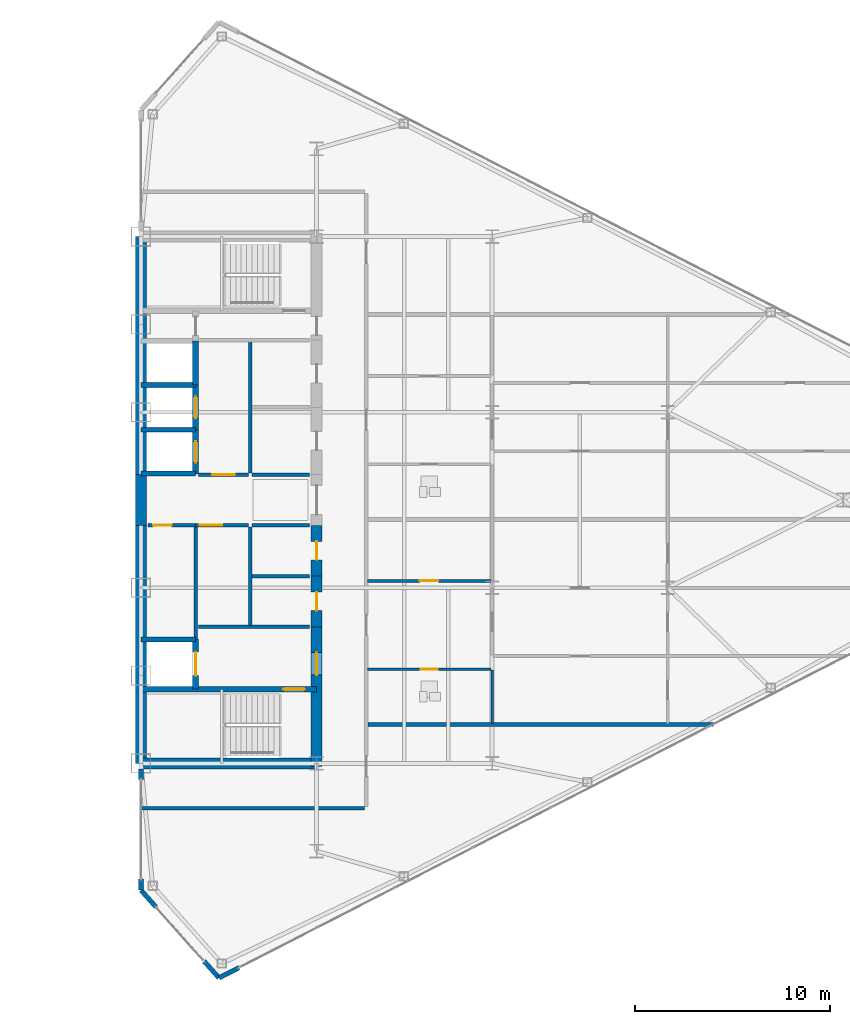
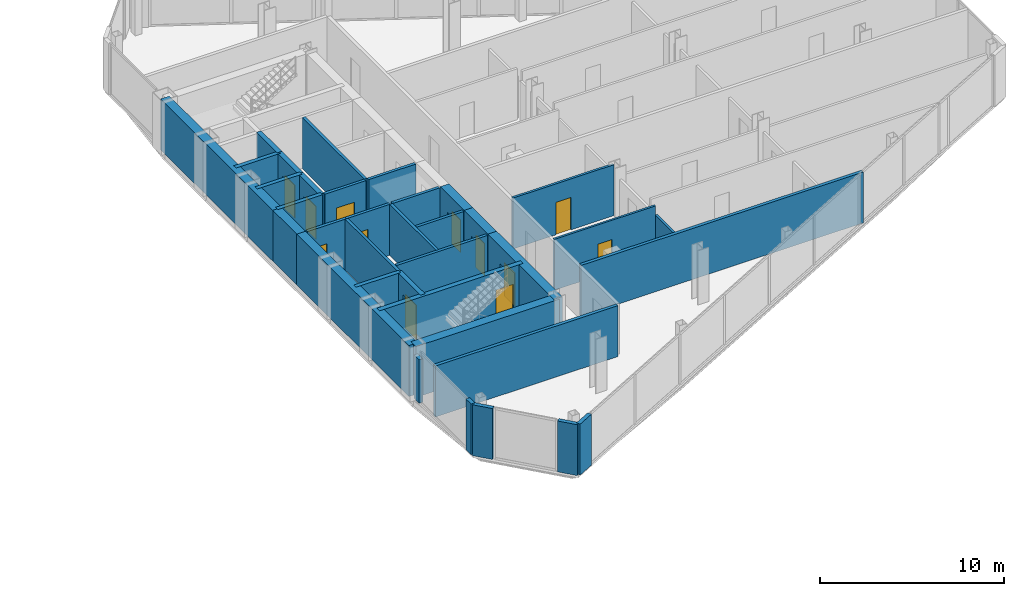
# One storey, part 18 of 23: 36 walls, 12 doors, 12 openings.
"""IFC4 building model written with IfcOpenShell, lengths in metres."""

from ifc_helpers import new_model, si_unit, direction, frame, frame_2d, origin, place, context, subcontext, project, spatial, rectangle, extrude, source, transform, mapped, material, layer, layer_set, type_object, type_shapes, element, fill, save


model = new_model("IFC4")

# Units and contexts
model_context = context("Model", 3, precision=1e-05, world=origin(), true_north=direction((0.0, 1.0)))
body_context = subcontext(model_context, "Body", "Model", "MODEL_VIEW")
ifc_project = project(units=[si_unit("LENGTHUNIT", "METRE"), si_unit("AREAUNIT", "SQUARE_METRE"), si_unit("VOLUMEUNIT", "CUBIC_METRE"), si_unit("PLANEANGLEUNIT", "RADIAN"), si_unit("MASSUNIT", "GRAM", prefix="KILO")], contexts=[model_context])

# Site, building, storey
site_placement = place(None, origin())
site = spatial("IfcSite", under=ifc_project, at=site_placement, CompositionType="ELEMENT")
building_placement = place(site_placement, origin())
building = spatial("IfcBuilding", under=site, at=building_placement, Name="Seokmaru Belvedere", CompositionType="ELEMENT")
storey_placement = place(building_placement, frame((0.0, 0.0, 147.60009765625)))
storey = spatial("IfcBuildingStorey", under=building, at=storey_placement, Name="L39", CompositionType="ELEMENT", Elevation=147.60009765625)

# Wall, opening, door
ifc_material_1 = material(Name="Fire-Rated Gypsum Shaftwall")
ifc_layer_1 = layer(ifc_material_1, 0.14990234375)
ifc_layer_set_1 = layer_set([ifc_layer_1], Name="Fire-Rated Gypsum Shaftwall")
wall_type_1 = type_object("IfcWallType", Name="Apartment Fire-Acoustic Room Partition 150", PredefinedType="PARTITIONING", material=ifc_layer_set_1)
wall_1_placement = place(storey_placement, frame((39.10009765625, -4.14990234375, 0.0), z_axis=(0.0, 0.0, 1.0), x_axis=(1.0, 0.0, 0.0)))
wall_1 = element("IfcWall", 1, at=wall_1_placement, inside=storey, type_object=wall_type_1, Name="L39 Interior Partition 014", PredefinedType="PARTITIONING", context=body_context, shape_type="SweptSolid", body=[
    extrude(rectangle(XDim=6.349853515625, YDim=0.14990234375, at=frame_2d((3.1748046875, 0.0))), origin(), (0.0, 0.0, 1.0), 3.3798828125),
])
opening_1_placement = place(wall_1_placement, frame((2.699951171875, 0.0, 0.0)))
opening_1 = element("IfcOpeningElement", 2, at=opening_1_placement, cuts=wall_1, Name="Opening D05", PredefinedType="OPENING", context=body_context, shape_type="SweptSolid", body=[
    extrude(rectangle(XDim=0.949951171875, YDim=2.14990234375, at=frame_2d((0.47509765625, 1.074951171875))), frame((0.0, 0.0849609375, 0.0), z_axis=(0.0, -1.0, 0.0), x_axis=(1.0, 0.0, 0.0)), (0.0, 0.0, 1.0), 0.169921875),
])
ifc_material_2 = material(Name="Engineered White Oak Timber", Category="wood")
door_type_1 = type_object("IfcDoorType", Name="Apartment Interior Fire-Rated Oak Door 950x2150", OperationType="NOTDEFINED", PredefinedType="DOOR", material=ifc_material_2)
shared_shape_1 = source(origin(), body_context, "Body", "SweptSolid", [
    extrude(rectangle(XDim=0.949951171875, YDim=2.14990234375, at=frame_2d((0.47509765625, 1.074951171875))), frame((0.0, 0.02490234375, 0.0), z_axis=(0.0, -1.0, 0.0), x_axis=(1.0, 0.0, 0.0)), (0.0, 0.0, 1.0), 0.050048828125),
])
type_shapes(door_type_1, [shared_shape_1])
door_1_placement = place(opening_1_placement, origin())
door_1 = element("IfcDoor", 3, at=door_1_placement, inside=storey, type_object=door_type_1, Name="L39 Interior Door 039", OperationType="SINGLE_SWING_RIGHT", OverallHeight=2.14990234375, OverallWidth=0.949951171875, PredefinedType="DOOR", context=body_context, shape_type="MappedRepresentation", body=[
    mapped(shared_shape_1, transform((0.0, 0.0, 0.0), scale=1.0)),
])
fill(opening_1, door_1)

# Walls
ifc_layer_2 = layer(ifc_material_1, 0.179931640625)
ifc_layer_set_2 = layer_set([ifc_layer_2], Name="Fire-Rated Gypsum Shaftwall")
wall_type_2 = type_object("IfcWallType", Name="Core Service Fire Partition 180", PredefinedType="PARTITIONING", material=ifc_layer_set_2)
wall_2_placement = place(storey_placement, frame((30.449951171875, -6.5, 0.0), z_axis=(0.0, 0.0, 1.0), x_axis=(1.0, 0.0, 0.0)))
element("IfcWall", 4, at=wall_2_placement, inside=storey, type_object=wall_type_2, Name="L39 East Firefighting Lobby Partition", PredefinedType="PARTITIONING", context=body_context, shape_type="SweptSolid", body=[
    extrude(rectangle(XDim=5.699951171875, YDim=0.179931640625, at=frame_2d((2.85009765625, 0.0))), origin(), (0.0, 0.0, 1.0), 3.3798828125),
])
wall_3_placement = place(storey_placement, frame((33.10009765625, -6.419921875, 0.0), z_axis=(0.0, 0.0, 1.0), x_axis=(0.0, 1.0, 0.0)))
element("IfcWall", 5, at=wall_3_placement, inside=storey, type_object=wall_type_2, Name="L39 East South Core Service Back Wall", PredefinedType="PARTITIONING", context=body_context, shape_type="SweptSolid", body=[
    extrude(rectangle(XDim=5.0400390625, YDim=0.179931640625, at=frame_2d((2.52001953125, 0.0))), origin(), (0.0, 0.0, 1.0), 3.3798828125),
])
wall_4_placement = place(storey_placement, frame((33.10009765625, 1.3798828125, 0.0), z_axis=(0.0, 0.0, 1.0), x_axis=(0.0, 1.0, 0.0)))
element("IfcWall", 6, at=wall_4_placement, inside=storey, type_object=wall_type_2, Name="L39 East North Core Service Back Wall", PredefinedType="PARTITIONING", context=body_context, shape_type="SweptSolid", body=[
    extrude(rectangle(XDim=6.740234375, YDim=0.179931640625, at=frame_2d((3.3701171875, 0.0))), origin(), (0.0, 0.0, 1.0), 3.3798828125),
])

# Wall, opening, door
wall_5_placement = place(storey_placement, frame((27.85009765625, -1.300048828125, 0.0), z_axis=(0.0, 0.0, 1.0), x_axis=(1.0, 0.0, 0.0)))
wall_5 = element("IfcWall", 7, at=wall_5_placement, inside=storey, type_object=wall_type_2, Name="L39 East South Parcel Vault Foyer Wall", PredefinedType="PARTITIONING", context=body_context, shape_type="SweptSolid", body=[
    extrude(rectangle(XDim=2.449951171875, YDim=0.179931640625, at=frame_2d((1.22509765625, 0.0))), origin(), (0.0, 0.0, 1.0), 3.3798828125),
])
opening_2_placement = place(wall_5_placement, frame((0.27490234375, 0.0, 0.0)))
opening_2 = element("IfcOpeningElement", 8, at=opening_2_placement, cuts=wall_5, Name="Opening D04", PredefinedType="OPENING", context=body_context, shape_type="SweptSolid", body=[
    extrude(rectangle(XDim=0.949951171875, YDim=2.14990234375, at=frame_2d((0.47509765625, 1.074951171875))), frame((0.0, 0.10009765625, 0.0), z_axis=(0.0, -1.0, 0.0), x_axis=(1.0, 0.0, 0.0)), (0.0, 0.0, 1.0), 0.199951171875),
])
ifc_material_3 = material(Name="Fire-Rated Steel Leaf", Category="steel")
door_type_2 = type_object("IfcDoorType", Name="Core Service Room Fire Door 950x2150", OperationType="NOTDEFINED", PredefinedType="DOOR", material=ifc_material_3)
shared_shape_2 = source(origin(), body_context, "Body", "SweptSolid", [
    extrude(rectangle(XDim=0.949951171875, YDim=2.14990234375, at=frame_2d((0.47509765625, 1.074951171875))), frame((0.0, 0.02490234375, 0.0), z_axis=(0.0, -1.0, 0.0), x_axis=(1.0, 0.0, 0.0)), (0.0, 0.0, 1.0), 0.050048828125),
])
type_shapes(door_type_2, [shared_shape_2])
door_2_placement = place(opening_2_placement, origin())
door_2 = element("IfcDoor", 9, at=door_2_placement, inside=storey, type_object=door_type_2, Name="L39 East South Parcel Vault Door", OperationType="SINGLE_SWING_RIGHT", OverallHeight=2.14990234375, OverallWidth=0.949951171875, PredefinedType="DOOR", context=body_context, shape_type="MappedRepresentation", body=[
    mapped(shared_shape_2, transform((0.0, 0.0, 0.0), scale=1.0)),
])
fill(opening_2, door_2)

wall_6_placement = place(storey_placement, frame((30.300048828125, -1.300048828125, 0.0), z_axis=(0.0, 0.0, 1.0), x_axis=(1.0, 0.0, 0.0)))
wall_6 = element("IfcWall", 10, at=wall_6_placement, inside=storey, type_object=wall_type_2, Name="L39 East South Wine Cellar Foyer Wall", PredefinedType="PARTITIONING", context=body_context, shape_type="SweptSolid", body=[
    extrude(rectangle(XDim=2.719970703125, YDim=0.179931640625, at=frame_2d((1.35986328125, 0.0))), origin(), (0.0, 0.0, 1.0), 3.3798828125),
])
opening_3_placement = place(wall_6_placement, frame((0.2099609375, 0.0, 0.0)))
opening_3 = element("IfcOpeningElement", 11, at=opening_3_placement, cuts=wall_6, Name="Opening D02", PredefinedType="OPENING", context=body_context, shape_type="SweptSolid", body=[
    extrude(rectangle(XDim=1.14990234375, YDim=2.199951171875, at=frame_2d((0.574951171875, 1.10009765625))), frame((0.0, 0.10009765625, 0.0), z_axis=(0.0, -1.0, 0.0), x_axis=(1.0, 0.0, 0.0)), (0.0, 0.0, 1.0), 0.199951171875),
])
door_type_3 = type_object("IfcDoorType", Name="Lobby and Vestibule Fire Door 1150x2200", OperationType="NOTDEFINED", PredefinedType="DOOR", material=ifc_material_3)
shared_shape_3 = source(origin(), body_context, "Body", "SweptSolid", [
    extrude(rectangle(XDim=1.14990234375, YDim=2.199951171875, at=frame_2d((0.574951171875, 1.10009765625))), frame((0.0, 0.02490234375, 0.0), z_axis=(0.0, -1.0, 0.0), x_axis=(1.0, 0.0, 0.0)), (0.0, 0.0, 1.0), 0.050048828125),
])
type_shapes(door_type_3, [shared_shape_3])
door_3_placement = place(opening_3_placement, origin())
door_3 = element("IfcDoor", 12, at=door_3_placement, inside=storey, type_object=door_type_3, Name="L39 East South Core Foyer Door", OperationType="SINGLE_SWING_RIGHT", OverallHeight=2.199951171875, OverallWidth=1.14990234375, PredefinedType="DOOR", context=body_context, shape_type="MappedRepresentation", body=[
    mapped(shared_shape_3, transform((0.0, 0.0, 0.0), scale=1.0)),
])
fill(opening_3, door_3)

# Wall
wall_7_placement = place(storey_placement, frame((30.300048828125, -7.1201171875, 0.0), z_axis=(0.0, 0.0, 1.0), x_axis=(0.0, 1.0, 0.0)))
element("IfcWall", 13, at=wall_7_placement, inside=storey, type_object=wall_type_2, Name="L39 East Freed Shaft Vault Partition", PredefinedType="PARTITIONING", context=body_context, shape_type="SweptSolid", body=[
    extrude(rectangle(XDim=5.740234375, YDim=0.179931640625, at=frame_2d((2.8701171875, 0.0))), origin(), (0.0, 0.0, 1.0), 3.3798828125),
])

# Wall, opening, door
wall_8_placement = place(storey_placement, frame((30.449951171875, 1.300048828125, 0.0), z_axis=(0.0, 0.0, 1.0), x_axis=(1.0, 0.0, 0.0)))
wall_8 = element("IfcWall", 14, at=wall_8_placement, inside=storey, type_object=wall_type_2, Name="L39 East North Lift Lobby Foyer Wall", PredefinedType="PARTITIONING", context=body_context, shape_type="SweptSolid", body=[
    extrude(rectangle(XDim=2.570068359375, YDim=0.179931640625, at=frame_2d((1.28515625, 0.0))), origin(), (0.0, 0.0, 1.0), 3.3798828125),
])
opening_4_placement = place(wall_8_placement, frame((0.7099609375, 0.0, 0.0)))
opening_4 = element("IfcOpeningElement", 15, at=opening_4_placement, cuts=wall_8, Name="Opening D02", PredefinedType="OPENING", context=body_context, shape_type="SweptSolid", body=[
    extrude(rectangle(XDim=1.14990234375, YDim=2.199951171875, at=frame_2d((0.574951171875, 1.10009765625))), frame((0.0, 0.10009765625, 0.0), z_axis=(0.0, -1.0, 0.0), x_axis=(1.0, 0.0, 0.0)), (0.0, 0.0, 1.0), 0.199951171875),
])
door_4_placement = place(opening_4_placement, origin())
door_4 = element("IfcDoor", 16, at=door_4_placement, inside=storey, type_object=door_type_3, Name="L39 East North Lift Lobby Door", OperationType="SINGLE_SWING_LEFT", OverallHeight=2.199951171875, OverallWidth=1.14990234375, PredefinedType="DOOR", context=body_context, shape_type="MappedRepresentation", body=[
    mapped(shared_shape_3, transform((0.0, 0.0, 0.0), scale=1.0)),
])
fill(opening_4, door_4)

# Walls
for number, where, z_axis, x_axis, name in (
    (17, (33.199951171875, -1.300048828125, 0.0), (0.0, 0.0, 1.0), (1.0, 0.0, 0.0), "L39 East Foyer Side Wall S"),
    (18, (33.199951171875, 1.300048828125, 0.0), (0.0, 0.0, 1.0), (1.0, 0.0, 0.0), "L39 East Foyer Side Wall N"),
    (19, (33.199951171875, -3.89990234375, 0.0), (0.0, 0.0, 1.0), (1.0, 0.0, 0.0), "L39 East Core Service Partition 1"),
):
    element("IfcWall", number, at=place(storey_placement, frame(where, z_axis=z_axis, x_axis=x_axis)), inside=storey, type_object=wall_type_2, Name=name, PredefinedType="PARTITIONING", context=body_context, shape_type="SweptSolid", body=[
        extrude(rectangle(XDim=2.949951171875, YDim=0.179931640625, at=frame_2d((1.47509765625, 0.0))), origin(), (0.0, 0.0, 1.0), 3.3798828125),
    ])
ifc_material_4 = material(Name="Concrete C50 (50 MPa)", Category="concrete")
ifc_layer_3 = layer(ifc_material_4, 0.25)
ifc_layer_set_3 = layer_set([ifc_layer_3], Name="Concrete C50 (50 MPa)")
wall_type_3 = type_object("IfcWallType", Name="Hoistway Transverse Concrete Divider Wall 250", PredefinedType="SHEAR", material=ifc_layer_set_3)
for number, where, z_axis, x_axis, name in (
    (20, (27.5, -7.14990234375, 0.0), (0.0, 0.0, 1.0), (1.0, 0.0, 0.0), "L39 East Hoistway Divider Core Wall 1"),
    (21, (27.5, 1.35009765625, 0.0), (0.0, 0.0, 1.0), (1.0, 0.0, 0.0), "L39 East Hoistway Divider Core Wall 2"),
    (22, (27.5, 3.60009765625, 0.0), (0.0, 0.0, 1.0), (1.0, 0.0, 0.0), "L39 East Hoistway Divider Core Wall 3"),
    (23, (27.5, 5.89990234375, 0.0), (0.0, 0.0, 1.0), (1.0, 0.0, 0.0), "L39 East Hoistway Divider Core Wall 4"),
):
    element("IfcWall", number, at=place(storey_placement, frame(where, z_axis=z_axis, x_axis=x_axis)), inside=storey, type_object=wall_type_3, Name=name, PredefinedType="SHEAR", context=body_context, shape_type="SweptSolid", body=[
        extrude(rectangle(XDim=2.800048828125, YDim=0.25, at=frame_2d((1.39990234375, 0.0))), origin(), (0.0, 0.0, 1.0), 3.3798828125),
    ])
ifc_layer_4 = layer(ifc_material_1, 0.199951171875)
ifc_layer_set_4 = layer_set([ifc_layer_4], Name="Fire-Rated Gypsum Shaftwall")
wall_type_4 = type_object("IfcWallType", Name="Inter-Tenancy Fire Compartment Partition 200", PredefinedType="PARTITIONING", material=ifc_layer_set_4)
wall_9_placement = place(storey_placement, frame((27.5, -15.800048828125, 0.0), z_axis=(0.0, 0.0, 1.0), x_axis=(1.0, 0.0, 0.0)))
element("IfcWall", 24, at=wall_9_placement, inside=storey, type_object=wall_type_4, Name="L39 Interior Partition 004", PredefinedType="PARTITIONING", context=body_context, shape_type="SweptSolid", body=[
    extrude(rectangle(XDim=11.465087890625, YDim=0.199951171875, at=frame_2d((5.732421875, 0.0))), origin(), (0.0, 0.0, 1.0), 3.3798828125),
])
wall_10_placement = place(storey_placement, frame((39.1298828125, -11.5, 0.0), z_axis=(0.0, 0.0, 1.0), x_axis=(1.0, 0.0, 0.0)))
element("IfcWall", 25, at=wall_10_placement, inside=storey, type_object=wall_type_4, Name="L39 Interior Partition 008", PredefinedType="PARTITIONING", context=body_context, shape_type="SweptSolid", body=[
    extrude(rectangle(XDim=17.714111328125, YDim=0.199951171875, at=frame_2d((8.85693359375, 0.0))), origin(), (0.0, 0.0, 1.0), 3.3798828125),
])

# Wall, opening, door
ifc_layer_5 = layer(ifc_material_4, 0.300048828125)
ifc_layer_set_5 = layer_set([ifc_layer_5], Name="Concrete C50 (50 MPa)")
wall_type_5 = type_object("IfcWallType", Name="Internal Core Stair and Hoistway Wall 300", PredefinedType="SHEAR", material=ifc_layer_set_5)
wall_11_placement = place(storey_placement, frame((27.5, -9.699951171875, 0.0), z_axis=(0.0, 0.0, 1.0), x_axis=(1.0, 0.0, 0.0)))
wall_11 = element("IfcWall", 26, at=wall_11_placement, inside=storey, type_object=wall_type_5, Name="L39 East Stair ST-1 Enclosure Wall", PredefinedType="SHEAR", context=body_context, shape_type="SweptSolid", body=[
    extrude(rectangle(XDim=9.0, YDim=0.300048828125, at=frame_2d((4.5, 0.0))), origin(), (0.0, 0.0, 1.0), 3.3798828125),
])
opening_5_placement = place(wall_11_placement, frame((7.300048828125, 0.0, 0.0)))
opening_5 = element("IfcOpeningElement", 27, at=opening_5_placement, cuts=wall_11, Name="Opening D01", PredefinedType="OPENING", context=body_context, shape_type="SweptSolid", body=[
    extrude(rectangle(XDim=1.10009765625, YDim=2.199951171875, at=frame_2d((0.550048828125, 1.10009765625))), frame((0.0, 0.16015625, 0.0), z_axis=(0.0, -1.0, 0.0), x_axis=(1.0, 0.0, 0.0)), (0.0, 0.0, 1.0), 0.320068359375),
])
door_type_4 = type_object("IfcDoorType", Name="Special Escape Stair Smokeproof Fire Door 1100x2200", OperationType="NOTDEFINED", PredefinedType="DOOR", material=ifc_material_3)
shared_shape_4 = source(origin(), body_context, "Body", "SweptSolid", [
    extrude(rectangle(XDim=1.10009765625, YDim=2.199951171875, at=frame_2d((0.550048828125, 1.10009765625))), frame((0.0, 0.02490234375, 0.0), z_axis=(0.0, -1.0, 0.0), x_axis=(1.0, 0.0, 0.0)), (0.0, 0.0, 1.0), 0.050048828125),
])
type_shapes(door_type_4, [shared_shape_4])
door_5_placement = place(opening_5_placement, frame((1.10009765625, 0.0, 0.0), z_axis=(0.0, 0.0, 1.0), x_axis=(-1.0, 0.0, 0.0)))
door_5 = element("IfcDoor", 28, at=door_5_placement, inside=storey, type_object=door_type_4, Name="L39 East Special Escape Stair ST-1 Door", OperationType="SINGLE_SWING_RIGHT", OverallHeight=2.199951171875, OverallWidth=1.10009765625, PredefinedType="DOOR", context=body_context, shape_type="MappedRepresentation", body=[
    mapped(shared_shape_4, transform((0.0, 0.0, 0.0), scale=1.0)),
])
fill(opening_5, door_5)

wall_12_placement = place(storey_placement, frame((30.300048828125, -9.679931640625, 0.0), z_axis=(0.0, 0.0, 1.0), x_axis=(0.0, 1.0, 0.0)))
wall_12 = element("IfcWall", 29, at=wall_12_placement, inside=storey, type_object=wall_type_5, Name="L39 East Firefighting Lift Shaft Front Wall", PredefinedType="SHEAR", context=body_context, shape_type="SweptSolid", body=[
    extrude(rectangle(XDim=2.559814453125, YDim=0.300048828125, at=frame_2d((1.27978515625, 0.0))), origin(), (0.0, 0.0, 1.0), 3.3798828125),
])
opening_6_placement = place(wall_12_placement, frame((0.679931640625, 0.0, 0.0)))
opening_6 = element("IfcOpeningElement", 30, at=opening_6_placement, cuts=wall_12, Name="Opening LD2", PredefinedType="OPENING", context=body_context, shape_type="SweptSolid", body=[
    extrude(rectangle(XDim=1.199951171875, YDim=2.25, at=frame_2d((0.60009765625, 1.125))), frame((0.0, 0.16015625, 0.0), z_axis=(0.0, -1.0, 0.0), x_axis=(1.0, 0.0, 0.0)), (0.0, 0.0, 1.0), 0.320068359375),
])
ifc_material_5 = material(Name="Stainless Steel 316", Category="steel")
door_type_5 = type_object("IfcDoorType", Name="Firefighting Lift Sliding Landing Door 1200x2250", OperationType="DOUBLE_DOOR_SLIDING", PredefinedType="DOOR", material=ifc_material_5)
shared_shape_5 = source(origin(), body_context, "Body", "SweptSolid", [
    extrude(rectangle(XDim=1.199951171875, YDim=2.25, at=frame_2d((0.60009765625, 1.125))), frame((0.0, 0.02490234375, 0.0), z_axis=(0.0, -1.0, 0.0), x_axis=(1.0, 0.0, 0.0)), (0.0, 0.0, 1.0), 0.050048828125),
])
type_shapes(door_type_5, [shared_shape_5])
door_6_placement = place(opening_6_placement, origin())
door_6 = element("IfcDoor", 31, at=door_6_placement, inside=storey, type_object=door_type_5, Name="L39 East Firefighting Lift Landing Door", OperationType="DOUBLE_DOOR_SLIDING", OverallHeight=2.25, OverallWidth=1.199951171875, PredefinedType="DOOR", context=body_context, shape_type="MappedRepresentation", body=[
    mapped(shared_shape_5, transform((0.0, 0.0, 0.0), scale=1.0)),
])
fill(opening_6, door_6)

wall_13_placement = place(storey_placement, frame((30.300048828125, 1.320068359375, 0.0), z_axis=(0.0, 0.0, 1.0), x_axis=(0.0, 1.0, 0.0)))
wall_13 = element("IfcWall", 32, at=wall_13_placement, inside=storey, type_object=wall_type_5, Name="L39 East North Hoistway Wall PH1", PredefinedType="SHEAR", context=body_context, shape_type="SweptSolid", body=[
    extrude(rectangle(XDim=2.280029296875, YDim=0.300048828125, at=frame_2d((1.14013671875, 0.0))), origin(), (0.0, 0.0, 1.0), 3.3798828125),
])
opening_7_placement = place(wall_13_placement, frame((0.590087890625, 0.0, 0.0)))
opening_7 = element("IfcOpeningElement", 33, at=opening_7_placement, cuts=wall_13, Name="Opening LD1", PredefinedType="OPENING", context=body_context, shape_type="SweptSolid", body=[
    extrude(rectangle(XDim=1.10009765625, YDim=2.199951171875, at=frame_2d((0.550048828125, 1.10009765625))), frame((0.0, 0.16015625, 0.0), z_axis=(0.0, -1.0, 0.0), x_axis=(1.0, 0.0, 0.0)), (0.0, 0.0, 1.0), 0.320068359375),
])
door_type_6 = type_object("IfcDoorType", Name="Passenger Lift Sliding Landing Door 1100x2200", OperationType="DOUBLE_DOOR_SLIDING", PredefinedType="DOOR", material=ifc_material_5)
shared_shape_6 = source(origin(), body_context, "Body", "SweptSolid", [
    extrude(rectangle(XDim=1.10009765625, YDim=2.199951171875, at=frame_2d((0.550048828125, 1.10009765625))), frame((0.0, 0.02490234375, 0.0), z_axis=(0.0, -1.0, 0.0), x_axis=(1.0, 0.0, 0.0)), (0.0, 0.0, 1.0), 0.050048828125),
])
type_shapes(door_type_6, [shared_shape_6])
door_7_placement = place(opening_7_placement, origin())
door_7 = element("IfcDoor", 34, at=door_7_placement, inside=storey, type_object=door_type_6, Name="L39 East High-Rise Lift PH-1 Landing Door", OperationType="DOUBLE_DOOR_SLIDING", OverallHeight=2.199951171875, OverallWidth=1.10009765625, PredefinedType="DOOR", context=body_context, shape_type="MappedRepresentation", body=[
    mapped(shared_shape_6, transform((0.0, 0.0, 0.0), scale=1.0)),
])
fill(opening_7, door_7)

wall_14_placement = place(storey_placement, frame((30.300048828125, 3.60009765625, 0.0), z_axis=(0.0, 0.0, 1.0), x_axis=(0.0, 1.0, 0.0)))
wall_14 = element("IfcWall", 35, at=wall_14_placement, inside=storey, type_object=wall_type_5, Name="L39 East North Hoistway Wall PH2", PredefinedType="SHEAR", context=body_context, shape_type="SweptSolid", body=[
    extrude(rectangle(XDim=2.2998046875, YDim=0.300048828125, at=frame_2d((1.14990234375, 0.0))), origin(), (0.0, 0.0, 1.0), 3.3798828125),
])
opening_8_placement = place(wall_14_placement, frame((0.60009765625, 0.0, 0.0)))
opening_8 = element("IfcOpeningElement", 36, at=opening_8_placement, cuts=wall_14, Name="Opening LD1", PredefinedType="OPENING", context=body_context, shape_type="SweptSolid", body=[
    extrude(rectangle(XDim=1.10009765625, YDim=2.199951171875, at=frame_2d((0.550048828125, 1.10009765625))), frame((0.0, 0.16015625, 0.0), z_axis=(0.0, -1.0, 0.0), x_axis=(1.0, 0.0, 0.0)), (0.0, 0.0, 1.0), 0.320068359375),
])
door_8_placement = place(opening_8_placement, origin())
door_8 = element("IfcDoor", 37, at=door_8_placement, inside=storey, type_object=door_type_6, Name="L39 East High-Rise Lift PH-2 Landing Door", OperationType="DOUBLE_DOOR_SLIDING", OverallHeight=2.199951171875, OverallWidth=1.10009765625, PredefinedType="DOOR", context=body_context, shape_type="MappedRepresentation", body=[
    mapped(shared_shape_6, transform((0.0, 0.0, 0.0), scale=1.0)),
])
fill(opening_8, door_8)

# Walls
wall_15_placement = place(storey_placement, frame((30.300048828125, 5.89990234375, 0.0), z_axis=(0.0, 0.0, 1.0), x_axis=(0.0, 1.0, 0.0)))
element("IfcWall", 38, at=wall_15_placement, inside=storey, type_object=wall_type_5, Name="L39 East North Hoistway Wall OBS", PredefinedType="SHEAR", context=body_context, shape_type="SweptSolid", body=[
    extrude(rectangle(XDim=2.25, YDim=0.300048828125, at=frame_2d((1.125, 0.0))), origin(), (0.0, 0.0, 1.0), 3.3798828125),
])
ifc_layer_6 = layer(ifc_material_4, 0.550048828125)
ifc_layer_set_6 = layer_set([ifc_layer_6], Name="Concrete C50 (50 MPa)")
wall_type_6 = type_object("IfcWallType", Name="Mid-High Reinforced Concrete Core Wall 550", PredefinedType="SHEAR", material=ifc_layer_set_6)
for number, where, z_axis, x_axis, name in (
    (39, (27.5, -13.5, 0.0), (0.0, 0.0, 1.0), (0.0, 1.0, 0.0), "L39 East Portal Spine Core Wall South"),
    (40, (27.5, 1.300048828125, 0.0), (0.0, 0.0, 1.0), (0.0, 1.0, 0.0), "L39 East Portal Spine Core Wall North"),
):
    element("IfcWall", number, at=place(storey_placement, frame(where, z_axis=z_axis, x_axis=x_axis)), inside=storey, type_object=wall_type_6, Name=name, PredefinedType="SHEAR", context=body_context, shape_type="SweptSolid", body=[
        extrude(rectangle(XDim=12.199951171875, YDim=0.550048828125, at=frame_2d((6.10009765625, 0.0))), origin(), (0.0, 0.0, 1.0), 3.3798828125),
    ])
wall_16_placement = place(storey_placement, frame((27.5, -1.300048828125, 0.0), z_axis=(0.0, 0.0, 1.0), x_axis=(0.0, 1.0, 0.0)))
element("IfcWall", 41, at=wall_16_placement, inside=storey, type_object=wall_type_6, Name="L39 East Portal Spine Core Wall Center", PredefinedType="SHEAR", context=body_context, shape_type="SweptSolid", body=[
    extrude(rectangle(XDim=2.60009765625, YDim=0.550048828125, at=frame_2d((1.300048828125, 0.0))), origin(), (0.0, 0.0, 1.0), 3.3798828125),
])
wall_17_placement = place(storey_placement, frame((27.5, -13.5, 0.0), z_axis=(0.0, 0.0, 1.0), x_axis=(1.0, 0.0, 0.0)))
element("IfcWall", 42, at=wall_17_placement, inside=storey, type_object=wall_type_6, Name="L39 East South Core Wall", PredefinedType="SHEAR", context=body_context, shape_type="SweptSolid", body=[
    extrude(rectangle(XDim=9.0, YDim=0.550048828125, at=frame_2d((4.5, 0.0))), origin(), (0.0, 0.0, 1.0), 3.3798828125),
])

# Wall, opening, door
wall_18_placement = place(storey_placement, frame((36.5, -13.64990234375, 0.0), z_axis=(0.0, 0.0, 1.0), x_axis=(0.0, 1.0, 0.0)))
wall_18 = element("IfcWall", 43, at=wall_18_placement, inside=storey, type_object=wall_type_6, Name="L39 East West Core Wall FF", PredefinedType="SHEAR", context=body_context, shape_type="SweptSolid", body=[
    extrude(rectangle(XDim=7.14990234375, YDim=0.550048828125, at=frame_2d((3.574951171875, 0.0))), origin(), (0.0, 0.0, 1.0), 3.3798828125),
])
opening_9_placement = place(wall_18_placement, frame((4.675048828125, 0.0, 0.0)))
opening_9 = element("IfcOpeningElement", 44, at=opening_9_placement, cuts=wall_18, Name="Opening D02", PredefinedType="OPENING", context=body_context, shape_type="SweptSolid", body=[
    extrude(rectangle(XDim=1.14990234375, YDim=2.199951171875, at=frame_2d((0.574951171875, 1.10009765625))), frame((0.0, 0.28515625, 0.0), z_axis=(0.0, -1.0, 0.0), x_axis=(1.0, 0.0, 0.0)), (0.0, 0.0, 1.0), 0.570068359375),
])
door_9_placement = place(opening_9_placement, origin())
door_9 = element("IfcDoor", 45, at=door_9_placement, inside=storey, type_object=door_type_3, Name="L39 East Firefighting Lobby Door", OperationType="SINGLE_SWING_RIGHT", OverallHeight=2.199951171875, OverallWidth=1.14990234375, PredefinedType="DOOR", context=body_context, shape_type="MappedRepresentation", body=[
    mapped(shared_shape_3, transform((0.0, 0.0, 0.0), scale=1.0)),
])
fill(opening_9, door_9)

wall_19_placement = place(storey_placement, frame((36.5, -6.5, 0.0), z_axis=(0.0, 0.0, 1.0), x_axis=(0.0, 1.0, 0.0)))
wall_19 = element("IfcWall", 46, at=wall_19_placement, inside=storey, type_object=wall_type_6, Name="L39 East West Core Wall CS1", PredefinedType="SHEAR", context=body_context, shape_type="SweptSolid", body=[
    extrude(rectangle(XDim=2.60009765625, YDim=0.550048828125, at=frame_2d((1.300048828125, 0.0))), origin(), (0.0, 0.0, 1.0), 3.3798828125),
])
opening_10_placement = place(wall_19_placement, frame((0.824951171875, 0.0, 0.0)))
opening_10 = element("IfcOpeningElement", 47, at=opening_10_placement, cuts=wall_19, Name="Opening D04", PredefinedType="OPENING", context=body_context, shape_type="SweptSolid", body=[
    extrude(rectangle(XDim=0.949951171875, YDim=2.14990234375, at=frame_2d((0.47509765625, 1.074951171875))), frame((0.0, 0.28515625, 0.0), z_axis=(0.0, -1.0, 0.0), x_axis=(1.0, 0.0, 0.0)), (0.0, 0.0, 1.0), 0.570068359375),
])
door_10_placement = place(opening_10_placement, origin())
door_10 = element("IfcDoor", 48, at=door_10_placement, inside=storey, type_object=door_type_2, Name="L39 East Core Service Room Door 1", OperationType="SINGLE_SWING_RIGHT", OverallHeight=2.14990234375, OverallWidth=0.949951171875, PredefinedType="DOOR", context=body_context, shape_type="MappedRepresentation", body=[
    mapped(shared_shape_2, transform((0.0, 0.0, 0.0), scale=1.0)),
])
fill(opening_10, door_10)

wall_20_placement = place(storey_placement, frame((36.5, -3.89990234375, 0.0), z_axis=(0.0, 0.0, 1.0), x_axis=(0.0, 1.0, 0.0)))
wall_20 = element("IfcWall", 49, at=wall_20_placement, inside=storey, type_object=wall_type_6, Name="L39 East West Core Wall CS2", PredefinedType="SHEAR", context=body_context, shape_type="SweptSolid", body=[
    extrude(rectangle(XDim=2.599853515625, YDim=0.550048828125, at=frame_2d((1.2998046875, 0.0))), origin(), (0.0, 0.0, 1.0), 3.3798828125),
])
opening_11_placement = place(wall_20_placement, frame((0.824951171875, 0.0, 0.0)))
opening_11 = element("IfcOpeningElement", 50, at=opening_11_placement, cuts=wall_20, Name="Opening D04", PredefinedType="OPENING", context=body_context, shape_type="SweptSolid", body=[
    extrude(rectangle(XDim=0.949951171875, YDim=2.14990234375, at=frame_2d((0.47509765625, 1.074951171875))), frame((0.0, 0.28515625, 0.0), z_axis=(0.0, -1.0, 0.0), x_axis=(1.0, 0.0, 0.0)), (0.0, 0.0, 1.0), 0.570068359375),
])
door_11_placement = place(opening_11_placement, origin())
door_11 = element("IfcDoor", 51, at=door_11_placement, inside=storey, type_object=door_type_2, Name="L39 East Core Service Room Door 2", OperationType="SINGLE_SWING_LEFT", OverallHeight=2.14990234375, OverallWidth=0.949951171875, PredefinedType="DOOR", context=body_context, shape_type="MappedRepresentation", body=[
    mapped(shared_shape_2, transform((0.0, 0.0, 0.0), scale=1.0)),
])
fill(opening_11, door_11)

ifc_layer_7 = layer(ifc_material_1, 0.1298828125)
ifc_layer_set_7 = layer_set([ifc_layer_7], Name="Fire-Rated Gypsum Shaftwall")
wall_type_7 = type_object("IfcWallType", Name="Moisture-Resistant Fire-Rated Bathroom Partition 130", PredefinedType="PARTITIONING", material=ifc_layer_set_7)
wall_21_placement = place(storey_placement, frame((39.10009765625, -8.669921875, 0.0), z_axis=(0.0, 0.0, 1.0), x_axis=(1.0, 0.0, 0.0)))
wall_21 = element("IfcWall", 52, at=wall_21_placement, inside=storey, type_object=wall_type_7, Name="L39 Interior Partition 009", PredefinedType="PARTITIONING", context=body_context, shape_type="SweptSolid", body=[
    extrude(rectangle(XDim=6.349853515625, YDim=0.1298828125, at=frame_2d((3.1748046875, 0.0))), origin(), (0.0, 0.0, 1.0), 3.3798828125),
])
opening_12_placement = place(wall_21_placement, frame((2.735107421875, 0.0, 0.0)))
opening_12 = element("IfcOpeningElement", 53, at=opening_12_placement, cuts=wall_21, Name="Opening D06", PredefinedType="OPENING", context=body_context, shape_type="SweptSolid", body=[
    extrude(rectangle(XDim=0.8798828125, YDim=2.10009765625, at=frame_2d((0.43994140625, 1.050048828125))), frame((0.0, 0.074951171875, 0.0), z_axis=(0.0, -1.0, 0.0), x_axis=(1.0, 0.0, 0.0)), (0.0, 0.0, 1.0), 0.14990234375),
])
door_type_7 = type_object("IfcDoorType", Name="Bathroom and Restroom Fire-Rated Door 880x2100", OperationType="NOTDEFINED", PredefinedType="DOOR", material=ifc_material_2)
shared_shape_7 = source(origin(), body_context, "Body", "SweptSolid", [
    extrude(rectangle(XDim=0.8798828125, YDim=2.10009765625, at=frame_2d((0.43994140625, 1.050048828125))), frame((0.0, 0.02490234375, 0.0), z_axis=(0.0, -1.0, 0.0), x_axis=(1.0, 0.0, 0.0)), (0.0, 0.0, 1.0), 0.050048828125),
])
type_shapes(door_type_7, [shared_shape_7])
door_12_placement = place(opening_12_placement, origin())
door_12 = element("IfcDoor", 54, at=door_12_placement, inside=storey, type_object=door_type_7, Name="L39 Interior Door 038", OperationType="SINGLE_SWING_RIGHT", OverallHeight=2.10009765625, OverallWidth=0.8798828125, PredefinedType="DOOR", context=body_context, shape_type="MappedRepresentation", body=[
    mapped(shared_shape_7, transform((0.0, 0.0, 0.0), scale=1.0)),
])
fill(opening_12, door_12)

# Walls
wall_22_placement = place(storey_placement, frame((45.5, -11.449951171875, 0.0), z_axis=(0.0, 0.0, 1.0), x_axis=(0.0, 1.0, 0.0)))
element("IfcWall", 55, at=wall_22_placement, inside=storey, type_object=wall_type_7, Name="L39 Interior Partition 044", PredefinedType="PARTITIONING", context=body_context, shape_type="SweptSolid", body=[
    extrude(rectangle(XDim=2.73291015625, YDim=0.1298828125, at=frame_2d((1.366455078125, 0.0))), origin(), (0.0, 0.0, 1.0), 2.77978515625),
])
ifc_material_6 = material(Name="Anodised Bronze Aluminium", Category="aluminium")
ifc_layer_8 = layer(ifc_material_6, 0.239990234375)
ifc_layer_set_8 = layer_set([ifc_layer_8], Name="Anodised Bronze Aluminium")
wall_type_8 = type_object("IfcWallType", Name="Tower Corner Spandrel Closure Wall 240", PredefinedType="SOLIDWALL", material=ifc_layer_set_8)
wall_23_placement = place(storey_placement, frame((31.5087890625, -24.495361328125, 0.0), z_axis=(0.0, 0.0, 1.0), x_axis=(0.889797395748, 0.456355776255, 0.0)))
element("IfcWall", 56, at=wall_23_placement, inside=storey, type_object=wall_type_8, Name="L39 E Corner Closure Pier 1A", PredefinedType="SOLIDWALL", context=body_context, shape_type="SweptSolid", body=[
    extrude(rectangle(XDim=1.14013671875, YDim=0.239990234375, at=frame_2d((0.570068359375, 0.0))), origin(), (0.0, 0.0, 1.0), 3.3798828125),
])
wall_24_placement = place(storey_placement, frame((27.5, -19.97998046875, 0.0), z_axis=(0.0, 0.0, 1.0), x_axis=(0.0, 1.0, 0.0)))
element("IfcWall", 57, at=wall_24_placement, inside=storey, type_object=wall_type_8, Name="L39 E Spine Closure Pier 1A", PredefinedType="SOLIDWALL", context=body_context, shape_type="SweptSolid", body=[
    extrude(rectangle(XDim=0.550048828125, YDim=0.239990234375, at=frame_2d((0.27490234375, 0.0))), origin(), (0.0, 0.0, 1.0), 3.3798828125),
])
wall_25_placement = place(storey_placement, frame((27.5, -14.330078125, 0.0), z_axis=(0.0, 0.0, 1.0), x_axis=(0.0, 1.0, 0.0)))
element("IfcWall", 58, at=wall_25_placement, inside=storey, type_object=wall_type_8, Name="L39 E Spine Closure Pier 1B", PredefinedType="SOLIDWALL", context=body_context, shape_type="SweptSolid", body=[
    extrude(rectangle(XDim=0.550048828125, YDim=0.239990234375, at=frame_2d((0.27490234375, 0.0))), origin(), (0.0, 0.0, 1.0), 2.8798828125),
])
for number, where, z_axis, x_axis, name in (
    (59, (27.506591796875, -20.007568359375, 0.0), (0.0, 0.0, 1.0), (0.664337252513, -0.747432950119, 0.0), "L39 E Corner Closure Pier 6A"),
    (60, (30.736083984375, -23.640380859375, 0.0), (0.0, 0.0, 1.0), (0.664337252513, -0.747432950119, 0.0), "L39 E Corner Closure Pier 6B"),
):
    element("IfcWall", number, at=place(storey_placement, frame(where, z_axis=z_axis, x_axis=x_axis)), inside=storey, type_object=wall_type_8, Name=name, PredefinedType="SOLIDWALL", context=body_context, shape_type="SweptSolid", body=[
        extrude(rectangle(XDim=1.139892578125, YDim=0.239990234375, at=frame_2d((0.56982421875, 0.0))), origin(), (0.0, 0.0, 1.0), 3.3798828125),
    ])

save(model, "model.ifc")
